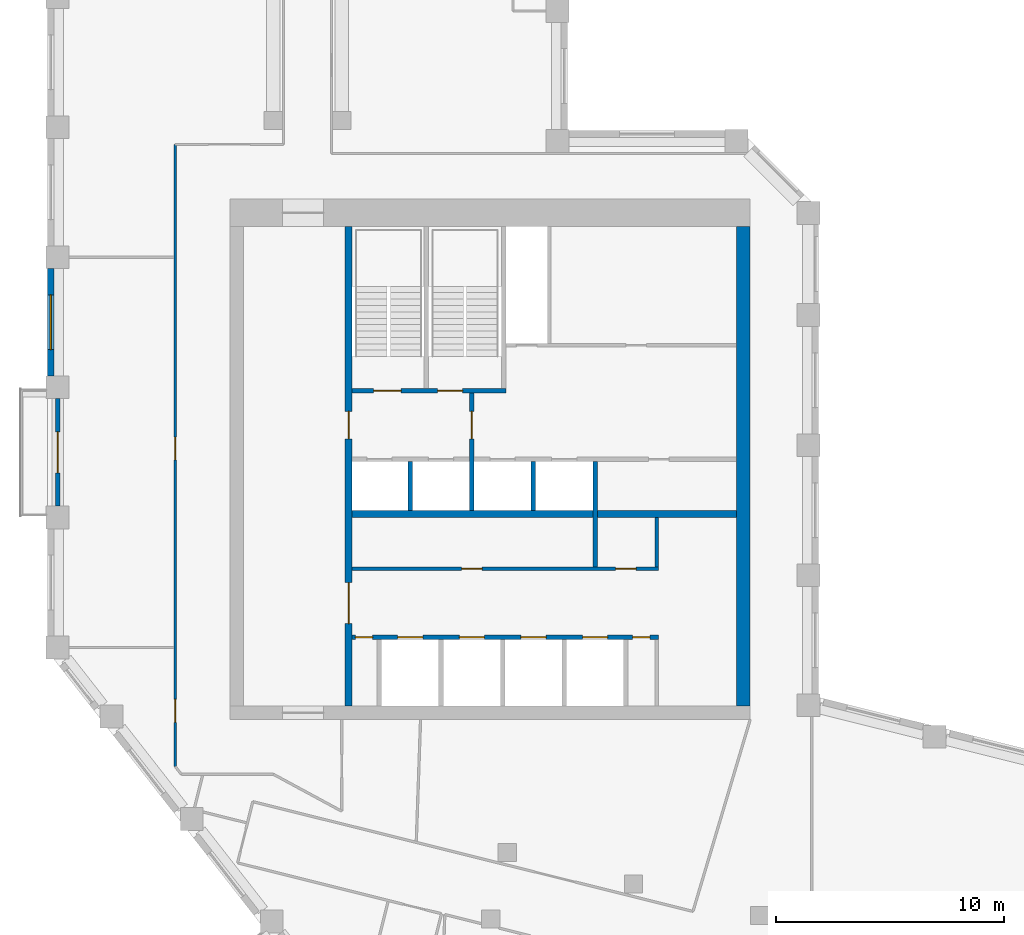
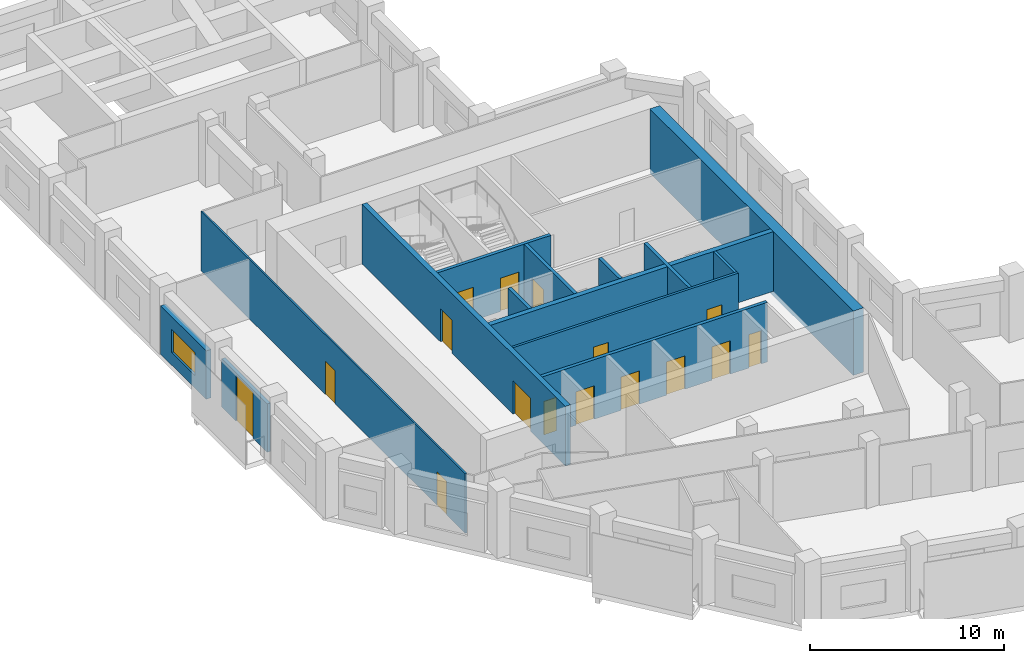
# One storey, part 5 of 9: 16 doors, 14 walls, 1 window, 17 openings.
"""IFC4 building model written with IfcOpenShell, lengths in metres."""

from ifc_helpers import new_model, si_unit, direction, frame, frame_2d, origin, place, context, subcontext, project, spatial, rectangle, extrude, material, layer, layer_set, type_object, element, fill, save


model = new_model("IFC4")

# Units and contexts
model_context = context("Model", 3, precision=1e-05, world=origin(), true_north=direction((0.0, 1.0)))
body_context = subcontext(model_context, "Body", "Model", "MODEL_VIEW")
ifc_project = project(units=[si_unit("LENGTHUNIT", "METRE"), si_unit("AREAUNIT", "SQUARE_METRE"), si_unit("VOLUMEUNIT", "CUBIC_METRE"), si_unit("PLANEANGLEUNIT", "RADIAN"), si_unit("MASSUNIT", "GRAM", prefix="KILO")], contexts=[model_context])

# Site, building, storey
site_placement = place(None, origin())
site = spatial("IfcSite", under=ifc_project, at=site_placement, CompositionType="ELEMENT")
building_placement = place(site_placement, origin())
building = spatial("IfcBuilding", under=site, at=building_placement, Name="Meshkara Civic Tower", CompositionType="ELEMENT")
storey_placement = place(building_placement, frame((0.0, 0.0, 344.39990234375)))
storey = spatial("IfcBuildingStorey", under=building, at=storey_placement, Name="L79", CompositionType="ELEMENT", Elevation=344.39990234375)

# Wall, openings, doors
ifc_material_1 = material(Name="Blockwork", Category="masonry")
ifc_layer_1 = layer(ifc_material_1, 0.14990234375)
ifc_layer_set_1 = layer_set([ifc_layer_1], Name="Core partition 150")
wall_type_1 = type_object("IfcWallType", Name="Core partition 150", PredefinedType="PARTITIONING", material=ifc_layer_set_1)
wall_1_placement = place(storey_placement, frame((13.35009765625, 20.699951171875, 0.0), z_axis=(0.0, 0.0, 1.0), x_axis=(1.0, 0.0, 0.0)))
wall_1 = element("IfcWall", 1, at=wall_1_placement, inside=storey, type_object=wall_type_1, Name="L79-C006", PredefinedType="PARTITIONING", context=body_context, shape_type="SweptSolid", body=[
    extrude(rectangle(XDim=13.4248046875, YDim=0.14990234375, at=frame_2d((6.71240234375, 0.0))), origin(), (0.0, 0.0, 1.0), 3.75),
])
opening_1_placement = place(wall_1_placement, frame((4.800048828125, 0.0, 0.0)))
opening_1 = element("IfcOpeningElement", 2, at=opening_1_placement, cuts=wall_1, Name="Opening L79-K011", PredefinedType="OPENING", context=body_context, shape_type="SweptSolid", body=[
    extrude(rectangle(XDim=0.89990234375, YDim=2.10009765625, at=frame_2d((0.449951171875, 1.050048828125))), frame((0.0, 0.0849609375, 0.0), z_axis=(0.0, -1.0, 0.0), x_axis=(1.0, 0.0, 0.0)), (0.0, 0.0, 1.0), 0.169921875),
])
opening_2_placement = place(wall_1_placement, frame((11.550048828125, 0.0, 0.0)))
opening_2 = element("IfcOpeningElement", 3, at=opening_2_placement, cuts=wall_1, Name="Opening L79-K012", PredefinedType="OPENING", context=body_context, shape_type="SweptSolid", body=[
    extrude(rectangle(XDim=0.89990234375, YDim=2.10009765625, at=frame_2d((0.449951171875, 1.050048828125))), frame((0.0, 0.0849609375, 0.0), z_axis=(0.0, -1.0, 0.0), x_axis=(1.0, 0.0, 0.0)), (0.0, 0.0, 1.0), 0.169921875),
])
ifc_material_2 = material(Name="Timber door leaf in steel frame", Category="steel")
door_type_1 = type_object("IfcDoorType", Name="Core room door 900", OperationType="SINGLE_SWING_LEFT", PredefinedType="DOOR", material=ifc_material_2)
door_1_placement = place(opening_1_placement, origin())
door_1 = element("IfcDoor", 4, at=door_1_placement, inside=storey, type_object=door_type_1, Name="L79-K011", OperationType="SINGLE_SWING_RIGHT", OverallHeight=2.10009765625, OverallWidth=0.89990234375, PredefinedType="DOOR", context=body_context, shape_type="SweptSolid", body=[
    extrude(rectangle(XDim=0.89990234375, YDim=2.10009765625, at=frame_2d((0.449951171875, 1.050048828125))), frame((0.0, 0.02490234375, 0.0), z_axis=(0.0, -1.0, 0.0), x_axis=(1.0, 0.0, 0.0)), (0.0, 0.0, 1.0), 0.050048828125),
])
fill(opening_1, door_1)
door_2_placement = place(opening_2_placement, origin())
door_2 = element("IfcDoor", 5, at=door_2_placement, inside=storey, type_object=door_type_1, Name="L79-K012", OperationType="SINGLE_SWING_RIGHT", OverallHeight=2.10009765625, OverallWidth=0.89990234375, PredefinedType="DOOR", context=body_context, shape_type="SweptSolid", body=[
    extrude(rectangle(XDim=0.89990234375, YDim=2.10009765625, at=frame_2d((0.449951171875, 1.050048828125))), frame((0.0, 0.02490234375, 0.0), z_axis=(0.0, -1.0, 0.0), x_axis=(1.0, 0.0, 0.0)), (0.0, 0.0, 1.0), 0.050048828125),
])
fill(opening_2, door_2)

# Walls
wall_2_placement = place(storey_placement, frame((26.699951171875, 20.77490234375, 0.0), z_axis=(0.0, 0.0, 1.0), x_axis=(0.0, 1.0, 0.0)))
element("IfcWall", 6, at=wall_2_placement, inside=storey, type_object=wall_type_1, Name="L79-C025", PredefinedType="PARTITIONING", context=body_context, shape_type="SweptSolid", body=[
    extrude(rectangle(XDim=2.175048828125, YDim=0.14990234375, at=frame_2d((1.08740234375, 0.0))), origin(), (0.0, 0.0, 1.0), 3.75),
])
ifc_material_3 = material(Name="Concrete C60", Category="concrete")
ifc_layer_2 = layer(ifc_material_3, 0.60009765625)
ifc_layer_set_2 = layer_set([ifc_layer_2], Name="Core ring wall 600 C60")
wall_type_2 = type_object("IfcWallType", Name="Core ring wall 600 C60", PredefinedType="SHEAR", material=ifc_layer_set_2)
wall_3_placement = place(storey_placement, frame((30.5, 14.699951171875, -0.2998046875), z_axis=(0.0, 0.0, 1.0), x_axis=(0.0, 1.0, 0.0)))
element("IfcWall", 7, at=wall_3_placement, inside=storey, type_object=wall_type_2, Name="L79-C004", PredefinedType="SHEAR", context=body_context, shape_type="SweptSolid", body=[
    extrude(rectangle(XDim=21.0, YDim=0.60009765625, at=frame_2d((10.5, 0.0))), origin(), (0.0, 0.0, 1.0), 4.0498046875),
])
ifc_material_4 = material(Name="Concrete C60", Category="concrete")
ifc_layer_3 = layer(ifc_material_4, 0.300048828125)
ifc_layer_set_3 = layer_set([ifc_layer_3], Name="Core shear wall 300 C60")
wall_type_3 = type_object("IfcWallType", Name="Core shear wall 300 C60", PredefinedType="SHEAR", material=ifc_layer_set_3)
wall_4_placement = place(storey_placement, frame((13.35009765625, 23.10009765625, 0.0), z_axis=(0.0, 0.0, 1.0), x_axis=(1.0, 0.0, 0.0)))
element("IfcWall", 8, at=wall_4_placement, inside=storey, type_object=wall_type_3, Name="L79-C007", PredefinedType="SHEAR", context=body_context, shape_type="SweptSolid", body=[
    extrude(rectangle(XDim=16.849853515625, YDim=0.300048828125, at=frame_2d((8.4248046875, 0.0))), origin(), (0.0, 0.0, 1.0), 3.75),
])

# Wall, openings, doors
wall_5_placement = place(storey_placement, frame((13.199951171875, 14.699951171875, 0.0), z_axis=(0.0, 0.0, 1.0), x_axis=(0.0, 1.0, 0.0)))
wall_5 = element("IfcWall", 9, at=wall_5_placement, inside=storey, type_object=wall_type_3, Name="L79-C011", PredefinedType="SHEAR", context=body_context, shape_type="SweptSolid", body=[
    extrude(rectangle(XDim=21.0, YDim=0.300048828125, at=frame_2d((10.5, 0.0))), origin(), (0.0, 0.0, 1.0), 3.75),
])
opening_3_placement = place(wall_5_placement, frame((3.60009765625, 0.0, 0.0)))
opening_3 = element("IfcOpeningElement", 10, at=opening_3_placement, cuts=wall_5, Name="Opening L79-K018", PredefinedType="OPENING", context=body_context, shape_type="SweptSolid", body=[
    extrude(rectangle(XDim=1.800048828125, YDim=2.10009765625, at=frame_2d((0.89990234375, 1.050048828125))), frame((0.0, 0.159912109375, 0.0), z_axis=(0.0, -1.0, 0.0), x_axis=(1.0, 0.0, 0.0)), (0.0, 0.0, 1.0), 0.320068359375),
])
opening_4_placement = place(wall_5_placement, frame((11.699951171875, 0.0, 0.0)))
opening_4 = element("IfcOpeningElement", 11, at=opening_4_placement, cuts=wall_5, Name="Opening L79-K019", PredefinedType="OPENING", context=body_context, shape_type="SweptSolid", body=[
    extrude(rectangle(XDim=1.199951171875, YDim=2.10009765625, at=frame_2d((0.60009765625, 1.050048828125))), frame((0.0, 0.159912109375, 0.0), z_axis=(0.0, -1.0, 0.0), x_axis=(1.0, 0.0, 0.0)), (0.0, 0.0, 1.0), 0.320068359375),
])
ifc_material_5 = material(Name="Fire-rated door leaf in steel frame", Category="steel")
door_type_2 = type_object("IfcDoorType", Name="Core double door 1800 EI 60", OperationType="DOUBLE_DOOR_SINGLE_SWING", PredefinedType="DOOR", material=ifc_material_5)
door_3_placement = place(opening_3_placement, origin())
door_3 = element("IfcDoor", 12, at=door_3_placement, inside=storey, type_object=door_type_2, Name="L79-K018", OperationType="DOUBLE_DOOR_SINGLE_SWING", OverallHeight=2.10009765625, OverallWidth=1.800048828125, PredefinedType="DOOR", context=body_context, shape_type="SweptSolid", body=[
    extrude(rectangle(XDim=1.800048828125, YDim=2.10009765625, at=frame_2d((0.89990234375, 1.050048828125))), frame((0.0, 0.02490234375, 0.0), z_axis=(0.0, -1.0, 0.0), x_axis=(1.0, 0.0, 0.0)), (0.0, 0.0, 1.0), 0.050048828125),
])
fill(opening_3, door_3)
ifc_material_6 = material(Name="Fire-rated door leaf in steel frame", Category="steel")
door_type_3 = type_object("IfcDoorType", Name="Fire-fighting lobby door 1200 EI 120", OperationType="SINGLE_SWING_LEFT", PredefinedType="DOOR", material=ifc_material_6)
door_4_placement = place(opening_4_placement, origin())
door_4 = element("IfcDoor", 13, at=door_4_placement, inside=storey, type_object=door_type_3, Name="L79-K019", OperationType="SINGLE_SWING_LEFT", OverallHeight=2.10009765625, OverallWidth=1.199951171875, PredefinedType="DOOR", context=body_context, shape_type="SweptSolid", body=[
    extrude(rectangle(XDim=1.199951171875, YDim=2.10009765625, at=frame_2d((0.60009765625, 1.050048828125))), frame((0.0, 0.02490234375, 0.0), z_axis=(0.0, -1.0, 0.0), x_axis=(1.0, 0.0, 0.0)), (0.0, 0.0, 1.0), 0.050048828125),
])
fill(opening_4, door_4)

ifc_material_7 = material(Name="Corridor wall 100")
ifc_layer_4 = layer(ifc_material_7, 0.10009765625)
ifc_layer_set_4 = layer_set([ifc_layer_4], Name="Corridor wall 100")
wall_type_4 = type_object("IfcWallType", Name="Corridor wall 100", PredefinedType="PARTITIONING", material=ifc_layer_set_4)
wall_6_placement = place(storey_placement, frame((5.60009765625, 39.300048828125, 0.0), z_axis=(0.0, 0.0, 1.0), x_axis=(0.0, -1.0, 0.0)))
wall_6 = element("IfcWall", 14, at=wall_6_placement, inside=storey, type_object=wall_type_4, Name="L79-W004", PredefinedType="PARTITIONING", context=body_context, shape_type="SweptSolid", body=[
    extrude(rectangle(XDim=27.256103515625, YDim=0.10009765625, at=frame_2d((13.6279296875, 0.0))), origin(), (0.0, 0.0, 1.0), 3.75),
])
opening_5_placement = place(wall_6_placement, frame((24.324951171875, 0.0, 0.0)))
opening_5 = element("IfcOpeningElement", 15, at=opening_5_placement, cuts=wall_6, Name="Opening L79-D012", PredefinedType="OPENING", context=body_context, shape_type="SweptSolid", body=[
    extrude(rectangle(XDim=1.0, YDim=2.10009765625, at=frame_2d((0.5, 1.050048828125))), frame((0.0, 0.06005859375, 0.0), z_axis=(0.0, -1.0, 0.0), x_axis=(1.0, 0.0, 0.0)), (0.0, 0.0, 1.0), 0.1201171875),
])
opening_6_placement = place(wall_6_placement, frame((12.824951171875, 0.0, 0.0)))
opening_6 = element("IfcOpeningElement", 16, at=opening_6_placement, cuts=wall_6, Name="Opening L79-D014", PredefinedType="OPENING", context=body_context, shape_type="SweptSolid", body=[
    extrude(rectangle(XDim=1.0, YDim=2.10009765625, at=frame_2d((0.5, 1.050048828125))), frame((0.0, 0.06005859375, 0.0), z_axis=(0.0, -1.0, 0.0), x_axis=(1.0, 0.0, 0.0)), (0.0, 0.0, 1.0), 0.1201171875),
])
ifc_material_8 = material(Name="Door 1000 x 2100")
door_type_4 = type_object("IfcDoorType", Name="Door 1000 x 2100", OperationType="SINGLE_SWING_LEFT", PredefinedType="DOOR", material=ifc_material_8)
door_5_placement = place(opening_5_placement, origin())
door_5 = element("IfcDoor", 17, at=door_5_placement, inside=storey, type_object=door_type_4, Name="L79-D012", OperationType="SINGLE_SWING_LEFT", OverallHeight=2.10009765625, OverallWidth=1.0, PredefinedType="DOOR", context=body_context, shape_type="SweptSolid", body=[
    extrude(rectangle(XDim=1.0, YDim=2.10009765625, at=frame_2d((0.5, 1.050048828125))), frame((0.0, 0.02490234375, 0.0), z_axis=(0.0, -1.0, 0.0), x_axis=(1.0, 0.0, 0.0)), (0.0, 0.0, 1.0), 0.050048828125),
])
fill(opening_5, door_5)
door_6_placement = place(opening_6_placement, origin())
door_6 = element("IfcDoor", 18, at=door_6_placement, inside=storey, type_object=door_type_4, Name="L79-D014", OperationType="SINGLE_SWING_RIGHT", OverallHeight=2.10009765625, OverallWidth=1.0, PredefinedType="DOOR", context=body_context, shape_type="SweptSolid", body=[
    extrude(rectangle(XDim=1.0, YDim=2.10009765625, at=frame_2d((0.5, 1.050048828125))), frame((0.0, 0.02490234375, 0.0), z_axis=(0.0, -1.0, 0.0), x_axis=(1.0, 0.0, 0.0)), (0.0, 0.0, 1.0), 0.050048828125),
])
fill(opening_6, door_6)

# Wall, opening, window
ifc_material_9 = material(Name="Insulated infill panel with bronze anodised aluminium cladding", Category="aluminium")
ifc_layer_5 = layer(ifc_material_9, 0.300048828125)
ifc_layer_set_5 = layer_set([ifc_layer_5], Name="EXTERNAL INFILL WALL 300")
wall_type_5 = type_object("IfcWallType", Name="EXTERNAL INFILL WALL 300", PredefinedType="SOLIDWALL", material=ifc_layer_set_5)
wall_7_placement = place(storey_placement, frame((0.14990234375, 33.85498046875, 0.0), z_axis=(0.0, 0.0, 1.0), x_axis=(0.0, -1.0, 0.0)))
wall_7 = element("IfcWall", 19, at=wall_7_placement, inside=storey, type_object=wall_type_5, Name="External wall", PredefinedType="SOLIDWALL", context=body_context, shape_type="SweptSolid", body=[
    extrude(rectangle(XDim=4.699951171875, YDim=0.300048828125, at=frame_2d((2.35009765625, 0.0))), origin(), (0.0, 0.0, 1.0), 3.050048828125),
])
opening_7_placement = place(wall_7_placement, frame((1.14990234375, 0.0, 0.800048828125)))
opening_7 = element("IfcOpeningElement", 20, at=opening_7_placement, cuts=wall_7, Name="Opening W8", PredefinedType="OPENING", context=body_context, shape_type="SweptSolid", body=[
    extrude(rectangle(XDim=2.39990234375, YDim=1.449951171875, at=frame_2d((1.199951171875, 0.72509765625))), frame((0.0, 0.159912109375, 0.0), z_axis=(0.0, -1.0, 0.0), x_axis=(1.0, 0.0, 0.0)), (0.0, 0.0, 1.0), 0.320068359375),
])
ifc_material_10 = material(Name="Tinted double glazing", Category="glass")
window_type = type_object("IfcWindowType", Name="WINDOW 2400x1450", PartitioningType="DOUBLE_PANEL_VERTICAL", PredefinedType="WINDOW", material=ifc_material_10)
window_placement = place(opening_7_placement, origin())
window = element("IfcWindow", 21, at=window_placement, inside=storey, type_object=window_type, Name="Window", OverallHeight=1.449951171875, OverallWidth=2.39990234375, PartitioningType="DOUBLE_PANEL_VERTICAL", PredefinedType="WINDOW", context=body_context, shape_type="SweptSolid", body=[
    extrude(rectangle(XDim=2.39990234375, YDim=1.449951171875, at=frame_2d((1.199951171875, 0.72509765625))), frame((0.0, 0.030029296875, 0.0), z_axis=(0.0, -1.0, 0.0), x_axis=(1.0, 0.0, 0.0)), (0.0, 0.0, 1.0), 0.06005859375),
])
fill(opening_7, window)

# Wall, opening, door
ifc_material_11 = material(Name="Insulated infill panel with bronze anodised aluminium cladding", Category="aluminium")
ifc_layer_6 = layer(ifc_material_11, 0.199951171875)
ifc_layer_set_6 = layer_set([ifc_layer_6], Name="LOGGIA BACK WALL 200")
wall_type_6 = type_object("IfcWallType", Name="LOGGIA BACK WALL 200", PredefinedType="SOLIDWALL", material=ifc_layer_set_6)
wall_8_placement = place(storey_placement, frame((0.449951171875, 28.155029296875, 0.0), z_axis=(0.0, 0.0, 1.0), x_axis=(0.0, -1.0, 0.0)))
wall_8 = element("IfcWall", 22, at=wall_8_placement, inside=storey, type_object=wall_type_6, Name="Loggia wall", PredefinedType="SOLIDWALL", context=body_context, shape_type="SweptSolid", body=[
    extrude(rectangle(XDim=4.698974609375, YDim=0.199951171875, at=frame_2d((2.349609375, 0.0))), origin(), (0.0, 0.0, 1.0), 3.050048828125),
])
opening_8_placement = place(wall_8_placement, frame((1.449951171875, 0.0, 0.0)))
opening_8 = element("IfcOpeningElement", 23, at=opening_8_placement, cuts=wall_8, Name="Opening L79-L001", PredefinedType="OPENING", context=body_context, shape_type="SweptSolid", body=[
    extrude(rectangle(XDim=1.800048828125, YDim=2.89990234375, at=frame_2d((0.89990234375, 1.449951171875))), frame((0.0, 0.10986328125, 0.0), z_axis=(0.0, -1.0, 0.0), x_axis=(1.0, 0.0, 0.0)), (0.0, 0.0, 1.0), 0.219970703125),
])
ifc_material_12 = material(Name="Tinted double glazing", Category="glass")
door_type_5 = type_object("IfcDoorType", Name="LOGGIA DOOR 1800x2900", OperationType="DOUBLE_DOOR_SINGLE_SWING", PredefinedType="DOOR", material=ifc_material_12)
door_7_placement = place(opening_8_placement, origin())
door_7 = element("IfcDoor", 24, at=door_7_placement, inside=storey, type_object=door_type_5, Name="L79-L001", OperationType="DOUBLE_DOOR_SINGLE_SWING", OverallHeight=2.89990234375, OverallWidth=1.800048828125, PredefinedType="DOOR", context=body_context, shape_type="SweptSolid", body=[
    extrude(rectangle(XDim=1.800048828125, YDim=2.89990234375, at=frame_2d((0.89990234375, 1.449951171875))), frame((0.0, 0.02490234375, 0.0), z_axis=(0.0, -1.0, 0.0), x_axis=(1.0, 0.0, 0.0)), (0.0, 0.0, 1.0), 0.050048828125),
])
fill(opening_8, door_7)

# Wall, openings, doors
ifc_material_13 = material(Name="Concrete C40/50", Category="concrete")
ifc_layer_7 = layer(ifc_material_13, 0.199951171875)
ifc_layer_set_7 = layer_set([ifc_layer_7], Name="Shaft wall 200 C40/50")
wall_type_7 = type_object("IfcWallType", Name="Shaft wall 200 C40/50", PredefinedType="SOLIDWALL", material=ifc_layer_set_7)
wall_9_placement = place(storey_placement, frame((13.35009765625, 17.699951171875, 0.0), z_axis=(0.0, 0.0, 1.0), x_axis=(1.0, 0.0, 0.0)))
wall_9 = element("IfcWall", 25, at=wall_9_placement, inside=storey, type_object=wall_type_7, Name="L79-C005", PredefinedType="SOLIDWALL", context=body_context, shape_type="SweptSolid", body=[
    extrude(rectangle(XDim=13.4248046875, YDim=0.199951171875, at=frame_2d((6.71240234375, 0.0))), origin(), (0.0, 0.0, 1.0), 3.75),
])
opening_9_placement = place(wall_9_placement, frame((2.0, 0.0, 0.0)))
opening_9 = element("IfcOpeningElement", 26, at=opening_9_placement, cuts=wall_9, Name="Opening L79-K001", PredefinedType="OPENING", context=body_context, shape_type="SweptSolid", body=[
    extrude(rectangle(XDim=1.10009765625, YDim=2.10009765625, at=frame_2d((0.550048828125, 1.050048828125))), frame((0.0, 0.10986328125, 0.0), z_axis=(0.0, -1.0, 0.0), x_axis=(1.0, 0.0, 0.0)), (0.0, 0.0, 1.0), 0.219970703125),
])
opening_10_placement = place(wall_9_placement, frame((4.699951171875, 0.0, 0.0)))
opening_10 = element("IfcOpeningElement", 27, at=opening_10_placement, cuts=wall_9, Name="Opening L79-K002", PredefinedType="OPENING", context=body_context, shape_type="SweptSolid", body=[
    extrude(rectangle(XDim=1.10009765625, YDim=2.10009765625, at=frame_2d((0.550048828125, 1.050048828125))), frame((0.0, 0.10986328125, 0.0), z_axis=(0.0, -1.0, 0.0), x_axis=(1.0, 0.0, 0.0)), (0.0, 0.0, 1.0), 0.219970703125),
])
opening_11_placement = place(wall_9_placement, frame((7.39990234375, 0.0, 0.0)))
opening_11 = element("IfcOpeningElement", 28, at=opening_11_placement, cuts=wall_9, Name="Opening L79-K003", PredefinedType="OPENING", context=body_context, shape_type="SweptSolid", body=[
    extrude(rectangle(XDim=1.10009765625, YDim=2.10009765625, at=frame_2d((0.550048828125, 1.050048828125))), frame((0.0, 0.10986328125, 0.0), z_axis=(0.0, -1.0, 0.0), x_axis=(1.0, 0.0, 0.0)), (0.0, 0.0, 1.0), 0.219970703125),
])
opening_12_placement = place(wall_9_placement, frame((10.10009765625, 0.0, 0.0)))
opening_12 = element("IfcOpeningElement", 29, at=opening_12_placement, cuts=wall_9, Name="Opening L79-K004", PredefinedType="OPENING", context=body_context, shape_type="SweptSolid", body=[
    extrude(rectangle(XDim=1.10009765625, YDim=2.10009765625, at=frame_2d((0.550048828125, 1.050048828125))), frame((0.0, 0.10986328125, 0.0), z_axis=(0.0, -1.0, 0.0), x_axis=(1.0, 0.0, 0.0)), (0.0, 0.0, 1.0), 0.219970703125),
])
opening_13_placement = place(wall_9_placement, frame((0.14990234375, 0.0, 0.0)))
opening_13 = element("IfcOpeningElement", 30, at=opening_13_placement, cuts=wall_9, Name="Opening L79-K009", PredefinedType="OPENING", context=body_context, shape_type="SweptSolid", body=[
    extrude(rectangle(XDim=0.75, YDim=2.10009765625, at=frame_2d((0.375, 1.050048828125))), frame((0.0, 0.10986328125, 0.0), z_axis=(0.0, -1.0, 0.0), x_axis=(1.0, 0.0, 0.0)), (0.0, 0.0, 1.0), 0.219970703125),
])
opening_14_placement = place(wall_9_placement, frame((12.300048828125, 0.0, 0.0)))
opening_14 = element("IfcOpeningElement", 31, at=opening_14_placement, cuts=wall_9, Name="Opening L79-K010", PredefinedType="OPENING", context=body_context, shape_type="SweptSolid", body=[
    extrude(rectangle(XDim=0.75, YDim=2.10009765625, at=frame_2d((0.375, 1.050048828125))), frame((0.0, 0.10986328125, 0.0), z_axis=(0.0, -1.0, 0.0), x_axis=(1.0, 0.0, 0.0)), (0.0, 0.0, 1.0), 0.219970703125),
])
ifc_material_14 = material(Name="Timber door leaf in steel frame", Category="steel")
door_type_6 = type_object("IfcDoorType", Name="Core room door 750", OperationType="SINGLE_SWING_LEFT", PredefinedType="DOOR", material=ifc_material_14)
door_8_placement = place(opening_13_placement, origin())
door_8 = element("IfcDoor", 32, at=door_8_placement, inside=storey, type_object=door_type_6, Name="L79-K009", OperationType="SINGLE_SWING_RIGHT", OverallHeight=2.10009765625, OverallWidth=0.75, PredefinedType="DOOR", context=body_context, shape_type="SweptSolid", body=[
    extrude(rectangle(XDim=0.75, YDim=2.10009765625, at=frame_2d((0.375, 1.050048828125))), frame((0.0, 0.02490234375, 0.0), z_axis=(0.0, -1.0, 0.0), x_axis=(1.0, 0.0, 0.0)), (0.0, 0.0, 1.0), 0.050048828125),
])
fill(opening_13, door_8)
door_9_placement = place(opening_14_placement, origin())
door_9 = element("IfcDoor", 33, at=door_9_placement, inside=storey, type_object=door_type_6, Name="L79-K010", OperationType="SINGLE_SWING_RIGHT", OverallHeight=2.10009765625, OverallWidth=0.75, PredefinedType="DOOR", context=body_context, shape_type="SweptSolid", body=[
    extrude(rectangle(XDim=0.75, YDim=2.10009765625, at=frame_2d((0.375, 1.050048828125))), frame((0.0, 0.02490234375, 0.0), z_axis=(0.0, -1.0, 0.0), x_axis=(1.0, 0.0, 0.0)), (0.0, 0.0, 1.0), 0.050048828125),
])
fill(opening_14, door_9)
ifc_material_15 = material(Name="Stainless steel landing door", Category="steel")
door_type_7 = type_object("IfcDoorType", Name="Lift landing door 1100", OperationType="SLIDING_TO_LEFT", PredefinedType="DOOR", material=ifc_material_15)
door_10_placement = place(opening_9_placement, origin())
door_10 = element("IfcDoor", 34, at=door_10_placement, inside=storey, type_object=door_type_7, Name="L79-K001", OperationType="SLIDING_TO_LEFT", OverallHeight=2.10009765625, OverallWidth=1.10009765625, PredefinedType="DOOR", context=body_context, shape_type="SweptSolid", body=[
    extrude(rectangle(XDim=1.10009765625, YDim=2.10009765625, at=frame_2d((0.550048828125, 1.050048828125))), frame((0.0, 0.02490234375, 0.0), z_axis=(0.0, -1.0, 0.0), x_axis=(1.0, 0.0, 0.0)), (0.0, 0.0, 1.0), 0.050048828125),
])
fill(opening_9, door_10)
door_11_placement = place(opening_10_placement, origin())
door_11 = element("IfcDoor", 35, at=door_11_placement, inside=storey, type_object=door_type_7, Name="L79-K002", OperationType="SLIDING_TO_LEFT", OverallHeight=2.10009765625, OverallWidth=1.10009765625, PredefinedType="DOOR", context=body_context, shape_type="SweptSolid", body=[
    extrude(rectangle(XDim=1.10009765625, YDim=2.10009765625, at=frame_2d((0.550048828125, 1.050048828125))), frame((0.0, 0.02490234375, 0.0), z_axis=(0.0, -1.0, 0.0), x_axis=(1.0, 0.0, 0.0)), (0.0, 0.0, 1.0), 0.050048828125),
])
fill(opening_10, door_11)
door_12_placement = place(opening_11_placement, origin())
door_12 = element("IfcDoor", 36, at=door_12_placement, inside=storey, type_object=door_type_7, Name="L79-K003", OperationType="SLIDING_TO_LEFT", OverallHeight=2.10009765625, OverallWidth=1.10009765625, PredefinedType="DOOR", context=body_context, shape_type="SweptSolid", body=[
    extrude(rectangle(XDim=1.10009765625, YDim=2.10009765625, at=frame_2d((0.550048828125, 1.050048828125))), frame((0.0, 0.02490234375, 0.0), z_axis=(0.0, -1.0, 0.0), x_axis=(1.0, 0.0, 0.0)), (0.0, 0.0, 1.0), 0.050048828125),
])
fill(opening_11, door_12)
door_13_placement = place(opening_12_placement, origin())
door_13 = element("IfcDoor", 37, at=door_13_placement, inside=storey, type_object=door_type_7, Name="L79-K004", OperationType="SLIDING_TO_LEFT", OverallHeight=2.10009765625, OverallWidth=1.10009765625, PredefinedType="DOOR", context=body_context, shape_type="SweptSolid", body=[
    extrude(rectangle(XDim=1.10009765625, YDim=2.10009765625, at=frame_2d((0.550048828125, 1.050048828125))), frame((0.0, 0.02490234375, 0.0), z_axis=(0.0, -1.0, 0.0), x_axis=(1.0, 0.0, 0.0)), (0.0, 0.0, 1.0), 0.050048828125),
])
fill(opening_12, door_13)

# Wall
wall_10_placement = place(storey_placement, frame((15.89990234375, 23.25, 0.0), z_axis=(0.0, 0.0, 1.0), x_axis=(0.0, 1.0, 0.0)))
element("IfcWall", 38, at=wall_10_placement, inside=storey, type_object=wall_type_7, Name="L79-C013", PredefinedType="SOLIDWALL", context=body_context, shape_type="SweptSolid", body=[
    extrude(rectangle(XDim=2.14990234375, YDim=0.199951171875, at=frame_2d((1.074951171875, 0.0))), origin(), (0.0, 0.0, 1.0), 3.75),
])

# Wall, opening, door
wall_11_placement = place(storey_placement, frame((18.60009765625, 23.25, 0.0), z_axis=(0.0, 0.0, 1.0), x_axis=(0.0, 1.0, 0.0)))
wall_11 = element("IfcWall", 39, at=wall_11_placement, inside=storey, type_object=wall_type_7, Name="L79-C016", PredefinedType="SOLIDWALL", context=body_context, shape_type="SweptSolid", body=[
    extrude(rectangle(XDim=5.14990234375, YDim=0.199951171875, at=frame_2d((2.574951171875, 0.0))), origin(), (0.0, 0.0, 1.0), 3.75),
])
opening_15_placement = place(wall_11_placement, frame((3.14990234375, 0.0, 0.0)))
opening_15 = element("IfcOpeningElement", 40, at=opening_15_placement, cuts=wall_11, Name="Opening L79-K020", PredefinedType="OPENING", context=body_context, shape_type="SweptSolid", body=[
    extrude(rectangle(XDim=1.199951171875, YDim=2.10009765625, at=frame_2d((0.60009765625, 1.050048828125))), frame((0.0, 0.10986328125, 0.0), z_axis=(0.0, -1.0, 0.0), x_axis=(1.0, 0.0, 0.0)), (0.0, 0.0, 1.0), 0.219970703125),
])
door_14_placement = place(opening_15_placement, origin())
door_14 = element("IfcDoor", 41, at=door_14_placement, inside=storey, type_object=door_type_3, Name="L79-K020", OperationType="SINGLE_SWING_RIGHT", OverallHeight=2.10009765625, OverallWidth=1.199951171875, PredefinedType="DOOR", context=body_context, shape_type="SweptSolid", body=[
    extrude(rectangle(XDim=1.199951171875, YDim=2.10009765625, at=frame_2d((0.60009765625, 1.050048828125))), frame((0.0, 0.02490234375, 0.0), z_axis=(0.0, -1.0, 0.0), x_axis=(1.0, 0.0, 0.0)), (0.0, 0.0, 1.0), 0.050048828125),
])
fill(opening_15, door_14)

# Walls
wall_12_placement = place(storey_placement, frame((21.300048828125, 23.25, 0.0), z_axis=(0.0, 0.0, 1.0), x_axis=(0.0, 1.0, 0.0)))
element("IfcWall", 42, at=wall_12_placement, inside=storey, type_object=wall_type_7, Name="L79-C019", PredefinedType="SOLIDWALL", context=body_context, shape_type="SweptSolid", body=[
    extrude(rectangle(XDim=2.14990234375, YDim=0.199951171875, at=frame_2d((1.074951171875, 0.0))), origin(), (0.0, 0.0, 1.0), 3.75),
])
wall_13_placement = place(storey_placement, frame((24.0, 20.77490234375, 0.0), z_axis=(0.0, 0.0, 1.0), x_axis=(0.0, 1.0, 0.0)))
element("IfcWall", 43, at=wall_13_placement, inside=storey, type_object=wall_type_7, Name="L79-C022", PredefinedType="SOLIDWALL", context=body_context, shape_type="SweptSolid", body=[
    extrude(rectangle(XDim=4.625, YDim=0.199951171875, at=frame_2d((2.3125, 0.0))), origin(), (0.0, 0.0, 1.0), 3.75),
])

# Wall, openings, doors
ifc_material_16 = material(Name="Concrete C40/50", Category="concrete")
ifc_layer_8 = layer(ifc_material_16, 0.199951171875)
ifc_layer_set_8 = layer_set([ifc_layer_8], Name="Stair enclosure wall 200 C40/50")
wall_type_8 = type_object("IfcWallType", Name="Stair enclosure wall 200 C40/50", PredefinedType="SOLIDWALL", material=ifc_layer_set_8)
wall_14_placement = place(storey_placement, frame((13.35009765625, 28.5, 0.0), z_axis=(0.0, 0.0, 1.0), x_axis=(1.0, 0.0, 0.0)))
wall_14 = element("IfcWall", 44, at=wall_14_placement, inside=storey, type_object=wall_type_8, Name="L79-C009", PredefinedType="SOLIDWALL", context=body_context, shape_type="SweptSolid", body=[
    extrude(rectangle(XDim=6.75, YDim=0.199951171875, at=frame_2d((3.375, 0.0))), origin(), (0.0, 0.0, 1.0), 3.75),
])
opening_16_placement = place(wall_14_placement, frame((0.949951171875, 0.0, 0.0)))
opening_16 = element("IfcOpeningElement", 45, at=opening_16_placement, cuts=wall_14, Name="Opening L79-K016", PredefinedType="OPENING", context=body_context, shape_type="SweptSolid", body=[
    extrude(rectangle(XDim=1.199951171875, YDim=2.10009765625, at=frame_2d((0.60009765625, 1.050048828125))), frame((0.0, 0.10986328125, 0.0), z_axis=(0.0, -1.0, 0.0), x_axis=(1.0, 0.0, 0.0)), (0.0, 0.0, 1.0), 0.219970703125),
])
opening_17_placement = place(wall_14_placement, frame((3.75, 0.0, 0.0)))
opening_17 = element("IfcOpeningElement", 46, at=opening_17_placement, cuts=wall_14, Name="Opening L79-K017", PredefinedType="OPENING", context=body_context, shape_type="SweptSolid", body=[
    extrude(rectangle(XDim=1.10009765625, YDim=2.10009765625, at=frame_2d((0.550048828125, 1.050048828125))), frame((0.0, 0.10986328125, 0.0), z_axis=(0.0, -1.0, 0.0), x_axis=(1.0, 0.0, 0.0)), (0.0, 0.0, 1.0), 0.219970703125),
])
ifc_material_17 = material(Name="Fire-rated door leaf in steel frame", Category="steel")
door_type_8 = type_object("IfcDoorType", Name="Stair door 1100 EI 120", OperationType="SINGLE_SWING_LEFT", PredefinedType="DOOR", material=ifc_material_17)
door_15_placement = place(opening_17_placement, origin())
door_15 = element("IfcDoor", 47, at=door_15_placement, inside=storey, type_object=door_type_8, Name="L79-K017", OperationType="SINGLE_SWING_LEFT", OverallHeight=2.10009765625, OverallWidth=1.10009765625, PredefinedType="DOOR", context=body_context, shape_type="SweptSolid", body=[
    extrude(rectangle(XDim=1.10009765625, YDim=2.10009765625, at=frame_2d((0.550048828125, 1.050048828125))), frame((0.0, 0.02490234375, 0.0), z_axis=(0.0, -1.0, 0.0), x_axis=(1.0, 0.0, 0.0)), (0.0, 0.0, 1.0), 0.050048828125),
])
fill(opening_17, door_15)
ifc_material_18 = material(Name="Fire-rated door leaf in steel frame", Category="steel")
door_type_9 = type_object("IfcDoorType", Name="Stair door 1200 EI 120", OperationType="SINGLE_SWING_LEFT", PredefinedType="DOOR", material=ifc_material_18)
door_16_placement = place(opening_16_placement, origin())
door_16 = element("IfcDoor", 48, at=door_16_placement, inside=storey, type_object=door_type_9, Name="L79-K016", OperationType="SINGLE_SWING_RIGHT", OverallHeight=2.10009765625, OverallWidth=1.199951171875, PredefinedType="DOOR", context=body_context, shape_type="SweptSolid", body=[
    extrude(rectangle(XDim=1.199951171875, YDim=2.10009765625, at=frame_2d((0.60009765625, 1.050048828125))), frame((0.0, 0.02490234375, 0.0), z_axis=(0.0, -1.0, 0.0), x_axis=(1.0, 0.0, 0.0)), (0.0, 0.0, 1.0), 0.050048828125),
])
fill(opening_16, door_16)

save(model, "model.ifc")
